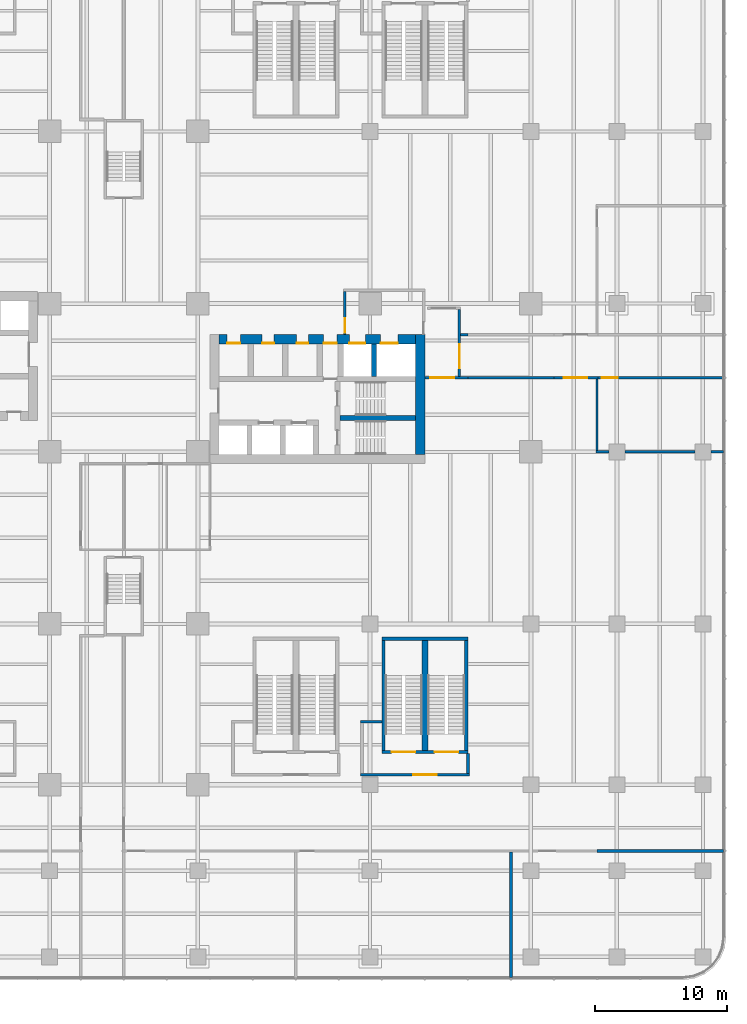
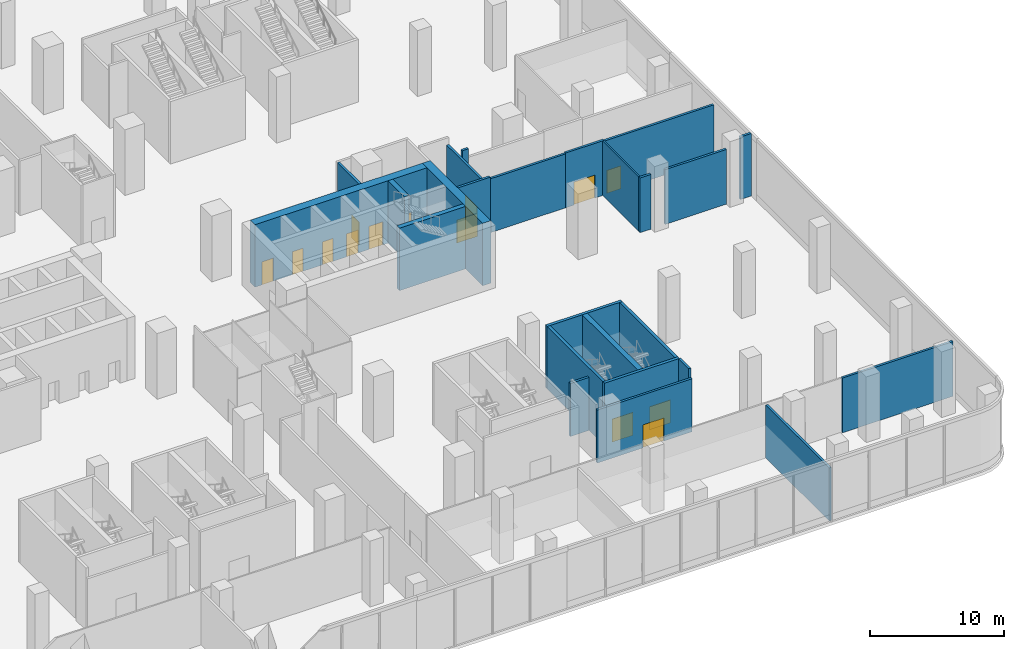
# One storey, part 36 of 41: 25 walls, 14 doors, 14 openings.
"""IFC4 building model written with IfcOpenShell, lengths in metres."""

from ifc_helpers import new_model, si_unit, direction, frame, frame_2d, origin, place, context, subcontext, project, spatial, rectangle, extrude, source, transform, mapped, material, layer, layer_set, type_object, element, fill, save


model = new_model("IFC4")

# Units and contexts
model_context = context("Model", 3, precision=1e-05, world=origin(), true_north=direction((0.0, 1.0)))
body_context = subcontext(model_context, "Body", "Model", "MODEL_VIEW")
ifc_project = project(units=[si_unit("LENGTHUNIT", "METRE"), si_unit("AREAUNIT", "SQUARE_METRE"), si_unit("VOLUMEUNIT", "CUBIC_METRE"), si_unit("PLANEANGLEUNIT", "RADIAN"), si_unit("MASSUNIT", "GRAM", prefix="KILO")], contexts=[model_context])

# Site, building, storey
site_placement = place(None, origin())
site = spatial("IfcSite", under=ifc_project, at=site_placement, CompositionType="ELEMENT")
building_placement = place(site_placement, origin())
building = spatial("IfcBuilding", under=site, at=building_placement, Name="Trellis Farm Tower", CompositionType="ELEMENT")
storey_placement = place(building_placement, frame((0.0, 0.0, 8.0)))
storey = spatial("IfcBuildingStorey", under=building, at=storey_placement, Name="L01", CompositionType="ELEMENT", Elevation=8.0)

# Walls
ifc_material_1 = material(Name="Concrete C80/95", Category="concrete")
ifc_layer_1 = layer(ifc_material_1, 0.699951171875)
ifc_layer_set_1 = layer_set([ifc_layer_1], Name="CORE OUTER WALL 700 CONCRETE C80/95")
wall_type_1 = type_object("IfcWallType", Name="CORE OUTER WALL 700 CONCRETE C80/95", PredefinedType="SHEAR", material=ifc_layer_set_1)
shared_shape_1 = source(origin(), body_context, "Body", "SweptSolid", [
    extrude(rectangle(XDim=9.050048828125, YDim=0.699951171875, at=frame_2d((4.52490234375, 0.0))), origin(), (0.0, 0.0, 1.0), 5.699951171875),
])
wall_1_placement = place(storey_placement, frame((22.39990234375, -5.800048828125, 0.0), z_axis=(0.0, 0.0, 1.0), x_axis=(0.0, 1.0, 0.0)))
element("IfcWall", 1, at=wall_1_placement, inside=storey, type_object=wall_type_1, Name="Core wall", PredefinedType="SHEAR", context=body_context, shape_type="MappedRepresentation", body=[
    mapped(shared_shape_1, transform((0.0, 0.0, 0.0))),
])
ifc_layer_2 = layer(ifc_material_1, 0.39990234375)
ifc_layer_set_2 = layer_set([ifc_layer_2], Name="CORE INNER WALL 400 CONCRETE C80/95")
wall_type_2 = type_object("IfcWallType", Name="CORE INNER WALL 400 CONCRETE C80/95", PredefinedType="SHEAR", material=ifc_layer_set_2)
shared_shape_2 = source(origin(), body_context, "Body", "SweptSolid", [
    extrude(rectangle(XDim=2.449951171875, YDim=0.39990234375, at=frame_2d((1.22509765625, 0.0))), origin(), (0.0, 0.0, 1.0), 5.699951171875),
])
wall_2_placement = place(storey_placement, frame((18.89990234375, 0.10009765625, 0.0), z_axis=(0.0, 0.0, 1.0), x_axis=(0.0, 1.0, 0.0)))
element("IfcWall", 2, at=wall_2_placement, inside=storey, type_object=wall_type_2, Name="Core wall", PredefinedType="SHEAR", context=body_context, shape_type="MappedRepresentation", body=[
    mapped(shared_shape_2, transform((0.0, 0.0, 0.0))),
])

# Wall, opening, door
ifc_material_2 = material(Name="Masonry blockwork", Category="masonry")
ifc_layer_3 = layer(ifc_material_2, 0.199951171875)
ifc_layer_set_3 = layer_set([ifc_layer_3], Name="FIRE LOBBY PARTITION 200 BLOCKWORK")
wall_type_3 = type_object("IfcWallType", Name="FIRE LOBBY PARTITION 200 BLOCKWORK", PredefinedType="PARTITIONING", material=ifc_layer_set_3)
shared_shape_3 = source(origin(), body_context, "Body", "SweptSolid", [
    extrude(rectangle(XDim=3.25, YDim=0.199951171875, at=frame_2d((1.625, 0.0))), origin(), (0.0, 0.0, 1.0), 5.699951171875),
])
wall_3_placement = place(storey_placement, frame((16.699951171875, 3.25, 0.0), z_axis=(0.0, 0.0, 1.0), x_axis=(0.0, 1.0, 0.0)))
wall_3 = element("IfcWall", 3, at=wall_3_placement, inside=storey, type_object=wall_type_3, Name="Fire-fighting lobby partition", PredefinedType="PARTITIONING", context=body_context, shape_type="MappedRepresentation", body=[
    mapped(shared_shape_3, transform((0.0, 0.0, 0.0))),
])
shared_shape_4 = source(origin(), body_context, "Body", "SweptSolid", [
    extrude(rectangle(XDim=1.10009765625, YDim=2.10009765625, at=frame_2d((0.550048828125, 1.050048828125))), frame((0.0, 0.110107421875, 0.0), z_axis=(0.0, -1.0, 0.0), x_axis=(1.0, 0.0, 0.0)), (0.0, 0.0, 1.0), 0.22021484375),
])
opening_1_placement = place(wall_3_placement, frame((0.14990234375, 0.0, 0.0)))
opening_1 = element("IfcOpeningElement", 4, at=opening_1_placement, cuts=wall_3, Name="Opening DC7", PredefinedType="OPENING", context=body_context, shape_type="MappedRepresentation", body=[
    mapped(shared_shape_4, transform((0.0, 0.0, 0.0))),
])
ifc_material_3 = material(Name="Steel", Category="steel")
door_type_1 = type_object("IfcDoorType", Name="CORE FIRE DOOR 1100 X 2100", OperationType="NOTDEFINED", PredefinedType="DOOR", material=ifc_material_3)
shared_shape_5 = source(origin(), body_context, "Body", "SweptSolid", [
    extrude(rectangle(XDim=1.10009765625, YDim=2.10009765625, at=frame_2d((0.550048828125, 1.050048828125))), frame((0.0, 0.02490234375, 0.0), z_axis=(0.0, -1.0, 0.0), x_axis=(1.0, 0.0, 0.0)), (0.0, 0.0, 1.0), 0.050048828125),
])
door_1_placement = place(opening_1_placement, origin())
door_1 = element("IfcDoor", 5, at=door_1_placement, inside=storey, type_object=door_type_1, Name="Core door", OperationType="SINGLE_SWING_RIGHT", OverallHeight=2.10009765625, OverallWidth=1.10009765625, PredefinedType="DOOR", context=body_context, shape_type="MappedRepresentation", body=[
    mapped(shared_shape_5, transform((0.0, 0.0, 0.0))),
])
fill(opening_1, door_1)

# Wall, openings, doors
shared_shape_6 = source(origin(), body_context, "Body", "SweptSolid", [
    extrude(rectangle(XDim=14.85009765625, YDim=0.699951171875, at=frame_2d((7.425048828125, 0.0))), origin(), (0.0, 0.0, 1.0), 5.699951171875),
])
wall_4_placement = place(storey_placement, frame((7.199951171875, 2.89990234375, 0.0), z_axis=(0.0, 0.0, 1.0), x_axis=(1.0, 0.0, 0.0)))
wall_4 = element("IfcWall", 6, at=wall_4_placement, inside=storey, type_object=wall_type_1, Name="Core wall", PredefinedType="SHEAR", context=body_context, shape_type="MappedRepresentation", body=[
    mapped(shared_shape_6, transform((0.0, 0.0, 0.0))),
])
shared_shape_7 = source(origin(), body_context, "Body", "SweptSolid", [
    extrude(rectangle(XDim=1.300048828125, YDim=2.10009765625, at=frame_2d((0.64990234375, 1.050048828125))), frame((0.0, 0.360107421875, 0.0), z_axis=(0.0, -1.0, 0.0), x_axis=(1.0, 0.0, 0.0)), (0.0, 0.0, 1.0), 0.72021484375),
])
opening_2_placement = place(wall_4_placement, frame((12.199951171875, 0.0, 0.0)))
opening_2 = element("IfcOpeningElement", 7, at=opening_2_placement, cuts=wall_4, Name="Opening LD7", PredefinedType="OPENING", context=body_context, shape_type="MappedRepresentation", body=[
    mapped(shared_shape_7, transform((0.0, 0.0, 0.0))),
])
shared_shape_8 = source(origin(), body_context, "Body", "SweptSolid", [
    extrude(rectangle(XDim=1.199951171875, YDim=2.10009765625, at=frame_2d((0.60009765625, 1.050048828125))), frame((0.0, 0.360107421875, 0.0), z_axis=(0.0, -1.0, 0.0), x_axis=(1.0, 0.0, 0.0)), (0.0, 0.0, 1.0), 0.72021484375),
])
opening_3_placement = place(wall_4_placement, frame((9.85009765625, 0.0, 0.0)))
opening_3 = element("IfcOpeningElement", 8, at=opening_3_placement, cuts=wall_4, Name="Opening LD8", PredefinedType="OPENING", context=body_context, shape_type="MappedRepresentation", body=[
    mapped(shared_shape_8, transform((0.0, 0.0, 0.0))),
])
shared_shape_9 = source(origin(), body_context, "Body", "SweptSolid", [
    extrude(rectangle(XDim=1.0, YDim=2.10009765625, at=frame_2d((0.5, 1.050048828125))), frame((0.0, 0.360107421875, 0.0), z_axis=(0.0, -1.0, 0.0), x_axis=(1.0, 0.0, 0.0)), (0.0, 0.0, 1.0), 0.72021484375),
])
opening_4_placement = place(wall_4_placement, frame((7.89990234375, 0.0, 0.0)))
opening_4 = element("IfcOpeningElement", 9, at=opening_4_placement, cuts=wall_4, Name="Opening DC6", PredefinedType="OPENING", context=body_context, shape_type="MappedRepresentation", body=[
    mapped(shared_shape_9, transform((0.0, 0.0, 0.0))),
])
opening_5_placement = place(wall_4_placement, frame((0.60009765625, 0.0, 0.0)))
opening_5 = element("IfcOpeningElement", 10, at=opening_5_placement, cuts=wall_4, Name="Opening DC13", PredefinedType="OPENING", context=body_context, shape_type="MappedRepresentation", body=[
    mapped(shared_shape_9, transform((0.0, 0.0, 0.0))),
])
shared_shape_10 = source(origin(), body_context, "Body", "SweptSolid", [
    extrude(rectangle(XDim=0.89990234375, YDim=2.10009765625, at=frame_2d((0.449951171875, 1.050048828125))), frame((0.0, 0.360107421875, 0.0), z_axis=(0.0, -1.0, 0.0), x_axis=(1.0, 0.0, 0.0)), (0.0, 0.0, 1.0), 0.72021484375),
])
opening_6_placement = place(wall_4_placement, frame((3.25, 0.0, 0.0)))
opening_6 = element("IfcOpeningElement", 11, at=opening_6_placement, cuts=wall_4, Name="Opening DC24", PredefinedType="OPENING", context=body_context, shape_type="MappedRepresentation", body=[
    mapped(shared_shape_10, transform((0.0, 0.0, 0.0))),
])
opening_7_placement = place(wall_4_placement, frame((5.85009765625, 0.0, 0.0)))
opening_7 = element("IfcOpeningElement", 12, at=opening_7_placement, cuts=wall_4, Name="Opening DC35", PredefinedType="OPENING", context=body_context, shape_type="MappedRepresentation", body=[
    mapped(shared_shape_10, transform((0.0, 0.0, 0.0))),
])
door_type_2 = type_object("IfcDoorType", Name="CORE FIRE DOOR 1000 X 2100", OperationType="NOTDEFINED", PredefinedType="DOOR", material=ifc_material_3)
shared_shape_11 = source(origin(), body_context, "Body", "SweptSolid", [
    extrude(rectangle(XDim=1.0, YDim=2.10009765625, at=frame_2d((0.5, 1.050048828125))), frame((0.0, -0.27490234375, 0.0), z_axis=(0.0, -1.0, 0.0), x_axis=(1.0, 0.0, 0.0)), (0.0, 0.0, 1.0), 0.050048828125),
])
door_2_placement = place(opening_4_placement, origin())
door_2 = element("IfcDoor", 13, at=door_2_placement, inside=storey, type_object=door_type_2, Name="Core door", OperationType="SINGLE_SWING_LEFT", OverallHeight=2.10009765625, OverallWidth=1.0, PredefinedType="DOOR", context=body_context, shape_type="MappedRepresentation", body=[
    mapped(shared_shape_11, transform((0.0, 0.0, 0.0))),
])
fill(opening_4, door_2)
door_3_placement = place(opening_5_placement, origin())
door_3 = element("IfcDoor", 14, at=door_3_placement, inside=storey, type_object=door_type_2, Name="Core door", OperationType="SINGLE_SWING_LEFT", OverallHeight=2.10009765625, OverallWidth=1.0, PredefinedType="DOOR", context=body_context, shape_type="MappedRepresentation", body=[
    mapped(shared_shape_11, transform((0.0, 0.0, 0.0))),
])
fill(opening_5, door_3)
door_type_3 = type_object("IfcDoorType", Name="CORE FIRE DOOR 900 X 2100", OperationType="NOTDEFINED", PredefinedType="DOOR", material=ifc_material_3)
shared_shape_12 = source(origin(), body_context, "Body", "SweptSolid", [
    extrude(rectangle(XDim=0.89990234375, YDim=2.10009765625, at=frame_2d((0.449951171875, 1.050048828125))), frame((0.0, -0.27490234375, 0.0), z_axis=(0.0, -1.0, 0.0), x_axis=(1.0, 0.0, 0.0)), (0.0, 0.0, 1.0), 0.050048828125),
])
door_4_placement = place(opening_6_placement, origin())
door_4 = element("IfcDoor", 15, at=door_4_placement, inside=storey, type_object=door_type_3, Name="Core door", OperationType="SINGLE_SWING_RIGHT", OverallHeight=2.10009765625, OverallWidth=0.89990234375, PredefinedType="DOOR", context=body_context, shape_type="MappedRepresentation", body=[
    mapped(shared_shape_12, transform((0.0, 0.0, 0.0))),
])
fill(opening_6, door_4)
door_5_placement = place(opening_7_placement, origin())
door_5 = element("IfcDoor", 16, at=door_5_placement, inside=storey, type_object=door_type_3, Name="Core door", OperationType="SINGLE_SWING_LEFT", OverallHeight=2.10009765625, OverallWidth=0.89990234375, PredefinedType="DOOR", context=body_context, shape_type="MappedRepresentation", body=[
    mapped(shared_shape_12, transform((0.0, 0.0, 0.0))),
])
fill(opening_7, door_5)
ifc_material_4 = material(Name="Stainless steel", Category="steel")
door_type_4 = type_object("IfcDoorType", Name="LIFT LANDING DOOR 1300 X 2100", OperationType="DOUBLE_DOOR_SLIDING", PredefinedType="DOOR", material=ifc_material_4)
shared_shape_13 = source(origin(), body_context, "Body", "SweptSolid", [
    extrude(rectangle(XDim=1.300048828125, YDim=2.10009765625, at=frame_2d((0.64990234375, 1.050048828125))), frame((0.0, -0.27490234375, 0.0), z_axis=(0.0, -1.0, 0.0), x_axis=(1.0, 0.0, 0.0)), (0.0, 0.0, 1.0), 0.050048828125),
])
door_6_placement = place(opening_2_placement, origin())
door_6 = element("IfcDoor", 17, at=door_6_placement, inside=storey, type_object=door_type_4, Name="Lift landing door", OperationType="DOUBLE_DOOR_SLIDING", OverallHeight=2.10009765625, OverallWidth=1.300048828125, PredefinedType="DOOR", context=body_context, shape_type="MappedRepresentation", body=[
    mapped(shared_shape_13, transform((0.0, 0.0, 0.0))),
])
fill(opening_2, door_6)
door_type_5 = type_object("IfcDoorType", Name="LIFT LANDING DOOR 1200 X 2100", OperationType="DOUBLE_DOOR_SLIDING", PredefinedType="DOOR", material=ifc_material_4)
shared_shape_14 = source(origin(), body_context, "Body", "SweptSolid", [
    extrude(rectangle(XDim=1.199951171875, YDim=2.10009765625, at=frame_2d((0.60009765625, 1.050048828125))), frame((0.0, -0.27490234375, 0.0), z_axis=(0.0, -1.0, 0.0), x_axis=(1.0, 0.0, 0.0)), (0.0, 0.0, 1.0), 0.050048828125),
])
door_7_placement = place(opening_3_placement, origin())
door_7 = element("IfcDoor", 18, at=door_7_placement, inside=storey, type_object=door_type_5, Name="Lift landing door", OperationType="DOUBLE_DOOR_SLIDING", OverallHeight=2.10009765625, OverallWidth=1.199951171875, PredefinedType="DOOR", context=body_context, shape_type="MappedRepresentation", body=[
    mapped(shared_shape_14, transform((0.0, 0.0, 0.0))),
])
fill(opening_3, door_7)

# Wall
shared_shape_15 = source(origin(), body_context, "Body", "SweptSolid", [
    extrude(rectangle(XDim=5.699951171875, YDim=0.39990234375, at=frame_2d((2.85009765625, 0.0))), origin(), (0.0, 0.0, 1.0), 5.699951171875),
])
wall_5_placement = place(storey_placement, frame((16.35009765625, -3.050048828125, 0.0), z_axis=(0.0, 0.0, 1.0), x_axis=(1.0, 0.0, 0.0)))
element("IfcWall", 19, at=wall_5_placement, inside=storey, type_object=wall_type_2, Name="Core wall", PredefinedType="SHEAR", context=body_context, shape_type="MappedRepresentation", body=[
    mapped(shared_shape_15, transform((0.0, 0.0, 0.0))),
])

# Wall, openings, doors
ifc_layer_4 = layer(ifc_material_1, 0.25)
ifc_layer_set_4 = layer_set([ifc_layer_4], Name="CORE STAIR ENCLOSURE WALL 250 CONCRETE C80/95")
wall_type_4 = type_object("IfcWallType", Name="CORE STAIR ENCLOSURE WALL 250 CONCRETE C80/95", PredefinedType="SHEAR", material=ifc_layer_set_4)
shared_shape_16 = source(origin(), body_context, "Body", "SweptSolid", [
    extrude(rectangle(XDim=6.5, YDim=0.25, at=frame_2d((3.25, 0.0))), origin(), (0.0, 0.0, 1.0), 5.699951171875),
])
wall_6_placement = place(storey_placement, frame((19.5, -28.27490234375, 0.0), z_axis=(0.0, 0.0, 1.0), x_axis=(1.0, 0.0, 0.0)))
wall_6 = element("IfcWall", 20, at=wall_6_placement, inside=storey, type_object=wall_type_4, Name="Podium stair enclosure wall", PredefinedType="SHEAR", context=body_context, shape_type="MappedRepresentation", body=[
    mapped(shared_shape_16, transform((0.0, 0.0, 0.0))),
])
shared_shape_17 = source(origin(), body_context, "Body", "SweptSolid", [
    extrude(rectangle(XDim=1.800048828125, YDim=2.10009765625, at=frame_2d((0.89990234375, 1.050048828125))), frame((0.0, 0.135009765625, 0.0), z_axis=(0.0, -1.0, 0.0), x_axis=(1.0, 0.0, 0.0)), (0.0, 0.0, 1.0), 0.27001953125),
])
opening_8_placement = place(wall_6_placement, frame((0.72509765625, 0.0, 0.0)))
opening_8 = element("IfcOpeningElement", 21, at=opening_8_placement, cuts=wall_6, Name="Opening DP15", PredefinedType="OPENING", context=body_context, shape_type="MappedRepresentation", body=[
    mapped(shared_shape_17, transform((0.0, 0.0, 0.0))),
])
opening_9_placement = place(wall_6_placement, frame((3.97509765625, 0.0, 0.0)))
opening_9 = element("IfcOpeningElement", 22, at=opening_9_placement, cuts=wall_6, Name="Opening DP16", PredefinedType="OPENING", context=body_context, shape_type="MappedRepresentation", body=[
    mapped(shared_shape_17, transform((0.0, 0.0, 0.0))),
])
door_type_6 = type_object("IfcDoorType", Name="CORE FIRE DOOR DOUBLE 1800 X 2100", OperationType="DOUBLE_DOOR_SINGLE_SWING", PredefinedType="DOOR", material=ifc_material_3)
shared_shape_18 = source(origin(), body_context, "Body", "SweptSolid", [
    extrude(rectangle(XDim=1.800048828125, YDim=2.10009765625, at=frame_2d((0.89990234375, 1.050048828125))), frame((0.0, 0.02490234375, 0.0), z_axis=(0.0, -1.0, 0.0), x_axis=(1.0, 0.0, 0.0)), (0.0, 0.0, 1.0), 0.050048828125),
])
door_8_placement = place(opening_8_placement, origin())
door_8 = element("IfcDoor", 23, at=door_8_placement, inside=storey, type_object=door_type_6, Name="Podium stair door", OperationType="DOUBLE_DOOR_SINGLE_SWING", OverallHeight=2.10009765625, OverallWidth=1.800048828125, PredefinedType="DOOR", context=body_context, shape_type="MappedRepresentation", body=[
    mapped(shared_shape_18, transform((0.0, 0.0, 0.0))),
])
fill(opening_8, door_8)
door_9_placement = place(opening_9_placement, origin())
door_9 = element("IfcDoor", 24, at=door_9_placement, inside=storey, type_object=door_type_6, Name="Podium stair door", OperationType="DOUBLE_DOOR_SINGLE_SWING", OverallHeight=2.10009765625, OverallWidth=1.800048828125, PredefinedType="DOOR", context=body_context, shape_type="MappedRepresentation", body=[
    mapped(shared_shape_18, transform((0.0, 0.0, 0.0))),
])
fill(opening_9, door_9)

# Walls
wall_7_placement = place(storey_placement, frame((19.5, -19.72509765625, 0.0), z_axis=(0.0, 0.0, 1.0), x_axis=(1.0, 0.0, 0.0)))
element("IfcWall", 25, at=wall_7_placement, inside=storey, type_object=wall_type_4, Name="Podium stair enclosure wall", PredefinedType="SHEAR", context=body_context, shape_type="MappedRepresentation", body=[
    mapped(shared_shape_16, transform((0.0, 0.0, 0.0))),
])
shared_shape_19 = source(origin(), body_context, "Body", "SweptSolid", [
    extrude(rectangle(XDim=8.2998046875, YDim=0.25, at=frame_2d((4.14990234375, 0.0))), origin(), (0.0, 0.0, 1.0), 5.699951171875),
])
for number, where, z_axis, x_axis, name in (
    (26, (19.625, -28.14990234375, 0.0), (0.0, 0.0, 1.0), (0.0, 1.0, 0.0), "Podium stair enclosure wall"),
    (27, (25.875, -28.14990234375, 0.0), (0.0, 0.0, 1.0), (0.0, 1.0, 0.0), "Podium stair enclosure wall"),
):
    element("IfcWall", number, at=place(storey_placement, frame(where, z_axis=z_axis, x_axis=x_axis)), inside=storey, type_object=wall_type_4, Name=name, PredefinedType="SHEAR", context=body_context, shape_type="MappedRepresentation", body=[
        mapped(shared_shape_19, transform((0.0, 0.0, 0.0))),
    ])
ifc_layer_5 = layer(ifc_material_1, 0.43994140625)
ifc_layer_set_5 = layer_set([ifc_layer_5], Name="CORE STAIR ENCLOSURE WALL 440 CONCRETE C80/95")
wall_type_5 = type_object("IfcWallType", Name="CORE STAIR ENCLOSURE WALL 440 CONCRETE C80/95", PredefinedType="SHEAR", material=ifc_layer_set_5)
shared_shape_20 = source(origin(), body_context, "Body", "SweptSolid", [
    extrude(rectangle(XDim=8.2998046875, YDim=0.43994140625, at=frame_2d((4.14990234375, 0.0))), origin(), (0.0, 0.0, 1.0), 5.699951171875),
])
wall_8_placement = place(storey_placement, frame((22.75, -28.14990234375, 0.0), z_axis=(0.0, 0.0, 1.0), x_axis=(0.0, 1.0, 0.0)))
element("IfcWall", 28, at=wall_8_placement, inside=storey, type_object=wall_type_5, Name="Podium stair enclosure wall", PredefinedType="SHEAR", context=body_context, shape_type="MappedRepresentation", body=[
    mapped(shared_shape_20, transform((0.0, 0.0, 0.0))),
])
ifc_material_5 = material(Name="Lightweight blockwork, plastered", Category="masonry")
ifc_layer_6 = layer(ifc_material_5, 0.199951171875)
ifc_layer_set_6 = layer_set([ifc_layer_6], Name="BLOCK WALL 200 EI 120")
wall_type_6 = type_object("IfcWallType", Name="BLOCK WALL 200 EI 120", PredefinedType="PARTITIONING", material=ifc_layer_set_6)
shared_shape_21 = source(origin(), body_context, "Body", "SweptSolid", [
    extrude(rectangle(XDim=1.5, YDim=0.199951171875, at=frame_2d((0.75, 0.0))), origin(), (0.0, 0.0, 1.0), 5.699951171875),
])
wall_9_placement = place(storey_placement, frame((26.0, -29.89990234375, 0.0), z_axis=(0.0, 0.0, 1.0), x_axis=(0.0, 1.0, 0.0)))
element("IfcWall", 29, at=wall_9_placement, inside=storey, type_object=wall_type_6, Name="Partition PW3", PredefinedType="PARTITIONING", context=body_context, shape_type="MappedRepresentation", body=[
    mapped(shared_shape_21, transform((0.0, 0.0, 0.0))),
])
shared_shape_22 = source(origin(), body_context, "Body", "SweptSolid", [
    extrude(rectangle(XDim=9.487548828125, YDim=0.199951171875, at=frame_2d((4.74365234375, 0.0))), origin(), (0.0, 0.0, 1.0), 4.83935546875),
])
wall_10_placement = place(storey_placement, frame((29.25, -45.300048828125, 0.0), z_axis=(0.0, 0.0, 1.0), x_axis=(0.0, 1.0, 0.0)))
element("IfcWall", 30, at=wall_10_placement, inside=storey, type_object=wall_type_6, Name="Partition PW3", PredefinedType="PARTITIONING", context=body_context, shape_type="MappedRepresentation", body=[
    mapped(shared_shape_22, transform((0.0, 0.0, 0.0))),
])

# Wall, opening, door
shared_shape_23 = source(origin(), body_context, "Body", "SweptSolid", [
    extrude(rectangle(XDim=5.0498046875, YDim=0.199951171875, at=frame_2d((2.52490234375, 0.0))), origin(), (0.0, 0.0, 1.0), 5.077392578125),
])
wall_11_placement = place(storey_placement, frame((25.35009765625, 5.14990234375, 0.0), z_axis=(0.0, 0.0, 1.0), x_axis=(0.0, -1.0, 0.0)))
wall_11 = element("IfcWall", 31, at=wall_11_placement, inside=storey, type_object=wall_type_6, Name="Partition PW3", PredefinedType="PARTITIONING", context=body_context, shape_type="MappedRepresentation", body=[
    mapped(shared_shape_23, transform((0.0, 0.0, 0.0))),
])
shared_shape_24 = source(origin(), body_context, "Body", "SweptSolid", [
    extrude(rectangle(XDim=1.800048828125, YDim=2.10009765625, at=frame_2d((0.89990234375, 1.050048828125))), frame((0.0, 0.110107421875, 0.0), z_axis=(0.0, -1.0, 0.0), x_axis=(1.0, 0.0, 0.0)), (0.0, 0.0, 1.0), 0.22021484375),
])
opening_10_placement = place(wall_11_placement, frame((2.625, 0.0, 0.0)))
opening_10 = element("IfcOpeningElement", 32, at=opening_10_placement, cuts=wall_11, Name="Opening D413", PredefinedType="OPENING", context=body_context, shape_type="MappedRepresentation", body=[
    mapped(shared_shape_24, transform((0.0, 0.0, 0.0))),
])
ifc_material_6 = material(Name="Fire-rated timber door leaf in a hollow metal frame", Category="wood")
door_type_7 = type_object("IfcDoorType", Name="DOOR PAIR 1800x2100 FD60", OperationType="NOTDEFINED", PredefinedType="DOOR", material=ifc_material_6)
door_10_placement = place(opening_10_placement, origin())
door_10 = element("IfcDoor", 33, at=door_10_placement, inside=storey, type_object=door_type_7, Name="Door D413", OperationType="DOUBLE_DOOR_SINGLE_SWING", OverallHeight=2.10009765625, OverallWidth=1.800048828125, PredefinedType="DOOR", context=body_context, shape_type="MappedRepresentation", body=[
    mapped(shared_shape_18, transform((0.0, 0.0, 0.0))),
])
fill(opening_10, door_10)

# Walls
ifc_material_7 = material(Name="Plasterboard on steel studs, mineral wool", Category="steel")
ifc_layer_7 = layer(ifc_material_7, 0.125)
ifc_layer_set_7 = layer_set([ifc_layer_7], Name="PARTITION 125 STUD EI 60")
wall_type_7 = type_object("IfcWallType", Name="PARTITION 125 STUD EI 60", PredefinedType="PARTITIONING", material=ifc_layer_set_7)
shared_shape_25 = source(origin(), body_context, "Body", "SweptSolid", [
    extrude(rectangle(XDim=5.39990234375, YDim=0.125, at=frame_2d((2.699951171875, 0.0))), origin(), (0.0, 0.0, 1.0), 4.99658203125),
])
wall_12_placement = place(storey_placement, frame((35.75, -0.10009765625, 0.0), z_axis=(0.0, 0.0, 1.0), x_axis=(0.0, -1.0, 0.0)))
element("IfcWall", 34, at=wall_12_placement, inside=storey, type_object=wall_type_7, Name="Partition PW1", PredefinedType="PARTITIONING", context=body_context, shape_type="MappedRepresentation", body=[
    mapped(shared_shape_25, transform((0.0, 0.0, 0.0))),
])
shared_shape_26 = source(origin(), body_context, "Body", "SweptSolid", [
    extrude(rectangle(XDim=9.550048828125, YDim=0.199951171875, at=frame_2d((4.77490234375, 0.0))), origin(), (0.0, 0.0, 1.0), 4.99658203125),
])
wall_13_placement = place(storey_placement, frame((35.75, -35.75, 0.0), z_axis=(0.0, 0.0, 1.0), x_axis=(1.0, 0.0, 0.0)))
element("IfcWall", 35, at=wall_13_placement, inside=storey, type_object=wall_type_6, Name="Partition PW3", PredefinedType="PARTITIONING", context=body_context, shape_type="MappedRepresentation", body=[
    mapped(shared_shape_26, transform((0.0, 0.0, 0.0))),
])

# Wall, opening, door
shared_shape_27 = source(origin(), body_context, "Body", "SweptSolid", [
    extrude(rectangle(XDim=8.2001953125, YDim=0.199951171875, at=frame_2d((4.10009765625, 0.0))), origin(), (0.0, 0.0, 1.0), 4.83935546875),
])
wall_14_placement = place(storey_placement, frame((17.89990234375, -30.0, 0.0), z_axis=(0.0, 0.0, 1.0), x_axis=(1.0, 0.0, 0.0)))
wall_14 = element("IfcWall", 36, at=wall_14_placement, inside=storey, type_object=wall_type_6, Name="Partition PW3", PredefinedType="PARTITIONING", context=body_context, shape_type="MappedRepresentation", body=[
    mapped(shared_shape_27, transform((0.0, 0.0, 0.0))),
])
opening_11_placement = place(wall_14_placement, frame((3.949951171875, 0.0, 0.0)))
opening_11 = element("IfcOpeningElement", 37, at=opening_11_placement, cuts=wall_14, Name="Opening D406", PredefinedType="OPENING", context=body_context, shape_type="MappedRepresentation", body=[
    mapped(shared_shape_24, transform((0.0, 0.0, 0.0))),
])
door_11_placement = place(opening_11_placement, origin())
door_11 = element("IfcDoor", 38, at=door_11_placement, inside=storey, type_object=door_type_7, Name="Door D406", OperationType="DOUBLE_DOOR_SINGLE_SWING", OverallHeight=2.10009765625, OverallWidth=1.800048828125, PredefinedType="DOOR", context=body_context, shape_type="MappedRepresentation", body=[
    mapped(shared_shape_18, transform((0.0, 0.0, 0.0))),
])
fill(opening_11, door_11)

# Wall
shared_shape_28 = source(origin(), body_context, "Body", "SweptSolid", [
    extrude(rectangle(XDim=1.60009765625, YDim=0.199951171875, at=frame_2d((0.800048828125, 0.0))), origin(), (0.0, 0.0, 1.0), 4.83935546875),
])
wall_15_placement = place(storey_placement, frame((17.89990234375, -26.0, 0.0), z_axis=(0.0, 0.0, 1.0), x_axis=(1.0, 0.0, 0.0)))
element("IfcWall", 39, at=wall_15_placement, inside=storey, type_object=wall_type_6, Name="Partition PW3", PredefinedType="PARTITIONING", context=body_context, shape_type="MappedRepresentation", body=[
    mapped(shared_shape_28, transform((0.0, 0.0, 0.0))),
])

# Wall, opening, door
shared_shape_29 = source(origin(), body_context, "Body", "SweptSolid", [
    extrude(rectangle(XDim=3.3125, YDim=0.199951171875, at=frame_2d((1.65625, 0.0))), origin(), (0.0, 0.0, 1.0), 4.99658203125),
])
wall_16_placement = place(storey_placement, frame((35.8125, 0.0, 0.0), z_axis=(0.0, 0.0, 1.0), x_axis=(-1.0, 0.0, 0.0)))
wall_16 = element("IfcWall", 40, at=wall_16_placement, inside=storey, type_object=wall_type_6, Name="Partition PW3", PredefinedType="PARTITIONING", context=body_context, shape_type="MappedRepresentation", body=[
    mapped(shared_shape_29, transform((0.0, 0.0, 0.0))),
])
opening_12_placement = place(wall_16_placement, frame((0.78759765625, 0.0, 0.0)))
opening_12 = element("IfcOpeningElement", 41, at=opening_12_placement, cuts=wall_16, Name="Opening D412", PredefinedType="OPENING", context=body_context, shape_type="MappedRepresentation", body=[
    mapped(shared_shape_24, transform((0.0, 0.0, 0.0))),
])
door_12_placement = place(opening_12_placement, origin())
door_12 = element("IfcDoor", 42, at=door_12_placement, inside=storey, type_object=door_type_7, Name="Door D412", OperationType="DOUBLE_DOOR_SINGLE_SWING", OverallHeight=2.10009765625, OverallWidth=1.800048828125, PredefinedType="DOOR", context=body_context, shape_type="MappedRepresentation", body=[
    mapped(shared_shape_18, transform((0.0, 0.0, 0.0))),
])
fill(opening_12, door_12)

shared_shape_30 = source(origin(), body_context, "Body", "SweptSolid", [
    extrude(rectangle(XDim=3.25, YDim=0.199951171875, at=frame_2d((1.625, 0.0))), origin(), (0.0, 0.0, 1.0), 5.077392578125),
])
wall_17_placement = place(storey_placement, frame((26.0, 0.0, 0.0), z_axis=(0.0, 0.0, 1.0), x_axis=(-1.0, 0.0, 0.0)))
wall_17 = element("IfcWall", 43, at=wall_17_placement, inside=storey, type_object=wall_type_6, Name="Partition PW3", PredefinedType="PARTITIONING", context=body_context, shape_type="MappedRepresentation", body=[
    mapped(shared_shape_30, transform((0.0, 0.0, 0.0))),
])
opening_13_placement = place(wall_17_placement, frame((1.050048828125, 0.0, 0.0)))
opening_13 = element("IfcOpeningElement", 44, at=opening_13_placement, cuts=wall_17, Name="Opening D411", PredefinedType="OPENING", context=body_context, shape_type="MappedRepresentation", body=[
    mapped(shared_shape_24, transform((0.0, 0.0, 0.0))),
])
door_13_placement = place(opening_13_placement, origin())
door_13 = element("IfcDoor", 45, at=door_13_placement, inside=storey, type_object=door_type_7, Name="Door D411", OperationType="DOUBLE_DOOR_SINGLE_SWING", OverallHeight=2.10009765625, OverallWidth=1.800048828125, PredefinedType="DOOR", context=body_context, shape_type="MappedRepresentation", body=[
    mapped(shared_shape_18, transform((0.0, 0.0, 0.0))),
])
fill(opening_13, door_13)

# Wall
shared_shape_31 = source(origin(), body_context, "Body", "SweptSolid", [
    extrude(rectangle(XDim=6.5, YDim=0.199951171875, at=frame_2d((3.25, 0.0))), origin(), (0.0, 0.0, 1.0), 4.917724609375),
])
wall_18_placement = place(storey_placement, frame((32.5, 0.0, 0.0), z_axis=(0.0, 0.0, 1.0), x_axis=(-1.0, 0.0, 0.0)))
element("IfcWall", 46, at=wall_18_placement, inside=storey, type_object=wall_type_6, Name="Partition PW3", PredefinedType="PARTITIONING", context=body_context, shape_type="MappedRepresentation", body=[
    mapped(shared_shape_31, transform((0.0, 0.0, 0.0))),
])

# Wall, opening, door
shared_shape_32 = source(origin(), body_context, "Body", "SweptSolid", [
    extrude(rectangle(XDim=9.612548828125, YDim=0.199951171875, at=frame_2d((4.80615234375, 0.0))), origin(), (0.0, 0.0, 1.0), 4.917724609375),
])
wall_19_placement = place(storey_placement, frame((45.300048828125, 0.0, 0.0), z_axis=(0.0, 0.0, 1.0), x_axis=(-1.0, 0.0, 0.0)))
wall_19 = element("IfcWall", 47, at=wall_19_placement, inside=storey, type_object=wall_type_6, Name="Partition PW3", PredefinedType="PARTITIONING", context=body_context, shape_type="MappedRepresentation", body=[
    mapped(shared_shape_32, transform((0.0, 0.0, 0.0))),
])
shared_shape_33 = source(origin(), body_context, "Body", "SweptSolid", [
    extrude(rectangle(XDim=1.199951171875, YDim=2.10009765625, at=frame_2d((0.60009765625, 1.050048828125))), frame((0.0, 0.110107421875, 0.0), z_axis=(0.0, -1.0, 0.0), x_axis=(1.0, 0.0, 0.0)), (0.0, 0.0, 1.0), 0.22021484375),
])
opening_14_placement = place(wall_19_placement, frame((8.0, 0.0, 0.0)))
opening_14 = element("IfcOpeningElement", 48, at=opening_14_placement, cuts=wall_19, Name="Opening D607", PredefinedType="OPENING", context=body_context, shape_type="MappedRepresentation", body=[
    mapped(shared_shape_33, transform((0.0, 0.0, 0.0))),
])
door_type_8 = type_object("IfcDoorType", Name="DOOR 1200x2100 FD30S", OperationType="NOTDEFINED", PredefinedType="DOOR", material=ifc_material_6)
shared_shape_34 = source(origin(), body_context, "Body", "SweptSolid", [
    extrude(rectangle(XDim=1.199951171875, YDim=2.10009765625, at=frame_2d((0.60009765625, 1.050048828125))), frame((0.0, 0.02490234375, 0.0), z_axis=(0.0, -1.0, 0.0), x_axis=(1.0, 0.0, 0.0)), (0.0, 0.0, 1.0), 0.050048828125),
])
door_14_placement = place(opening_14_placement, origin())
door_14 = element("IfcDoor", 49, at=door_14_placement, inside=storey, type_object=door_type_8, Name="Door D607", OperationType="SINGLE_SWING_RIGHT", OverallHeight=2.10009765625, OverallWidth=1.199951171875, PredefinedType="DOOR", context=body_context, shape_type="MappedRepresentation", body=[
    mapped(shared_shape_34, transform((0.0, 0.0, 0.0))),
])
fill(opening_14, door_14)

# Walls
shared_shape_35 = source(origin(), body_context, "Body", "SweptSolid", [
    extrude(rectangle(XDim=0.550048828125, YDim=0.199951171875, at=frame_2d((0.27490234375, 0.0))), origin(), (0.0, 0.0, 1.0), 5.699951171875),
])
wall_20_placement = place(storey_placement, frame((25.449951171875, 3.25, 0.0), z_axis=(0.0, 0.0, 1.0), x_axis=(1.0, 0.0, 0.0)))
element("IfcWall", 50, at=wall_20_placement, inside=storey, type_object=wall_type_6, Name="Partition PW3", PredefinedType="PARTITIONING", context=body_context, shape_type="MappedRepresentation", body=[
    mapped(shared_shape_35, transform((0.0, 0.0, 0.0))),
])
shared_shape_36 = source(origin(), body_context, "Body", "SweptSolid", [
    extrude(rectangle(XDim=0.949951171875, YDim=0.199951171875, at=frame_2d((0.47509765625, 0.0))), origin(), (0.0, 0.0, 1.0), 5.699951171875),
])
wall_21_placement = place(storey_placement, frame((44.35009765625, -5.60009765625, 0.0), z_axis=(0.0, 0.0, 1.0), x_axis=(1.0, 0.0, 0.0)))
element("IfcWall", 51, at=wall_21_placement, inside=storey, type_object=wall_type_6, Name="Partition PW3", PredefinedType="PARTITIONING", context=body_context, shape_type="MappedRepresentation", body=[
    mapped(shared_shape_36, transform((0.0, 0.0, 0.0))),
])
shared_shape_37 = source(origin(), body_context, "Body", "SweptSolid", [
    extrude(rectangle(XDim=5.2998046875, YDim=0.199951171875, at=frame_2d((2.64990234375, 0.0))), origin(), (0.0, 0.0, 1.0), 4.99658203125),
])
wall_22_placement = place(storey_placement, frame((37.85009765625, -5.60009765625, 0.0), z_axis=(0.0, 0.0, 1.0), x_axis=(1.0, 0.0, 0.0)))
element("IfcWall", 52, at=wall_22_placement, inside=storey, type_object=wall_type_6, Name="Partition PW3", PredefinedType="PARTITIONING", context=body_context, shape_type="MappedRepresentation", body=[
    mapped(shared_shape_37, transform((0.0, 0.0, 0.0))),
])
shared_shape_38 = source(origin(), body_context, "Body", "SweptSolid", [
    extrude(rectangle(XDim=0.96240234375, YDim=0.199951171875, at=frame_2d((0.481201171875, 0.0))), origin(), (0.0, 0.0, 1.0), 4.99658203125),
])
wall_23_placement = place(storey_placement, frame((35.6875, -5.60009765625, 0.0), z_axis=(0.0, 0.0, 1.0), x_axis=(1.0, 0.0, 0.0)))
element("IfcWall", 53, at=wall_23_placement, inside=storey, type_object=wall_type_6, Name="Partition PW3", PredefinedType="PARTITIONING", context=body_context, shape_type="MappedRepresentation", body=[
    mapped(shared_shape_38, transform((0.0, 0.0, 0.0))),
])

save(model, "model.ifc")
